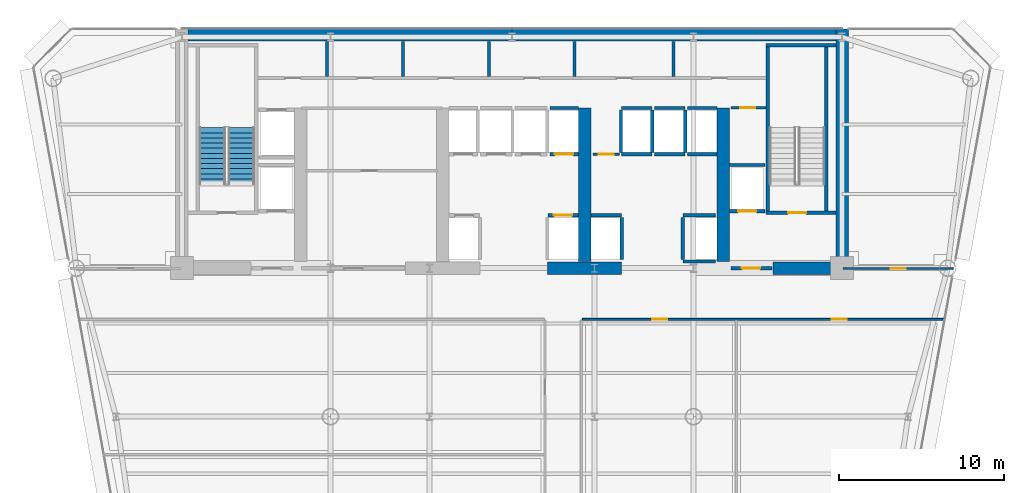
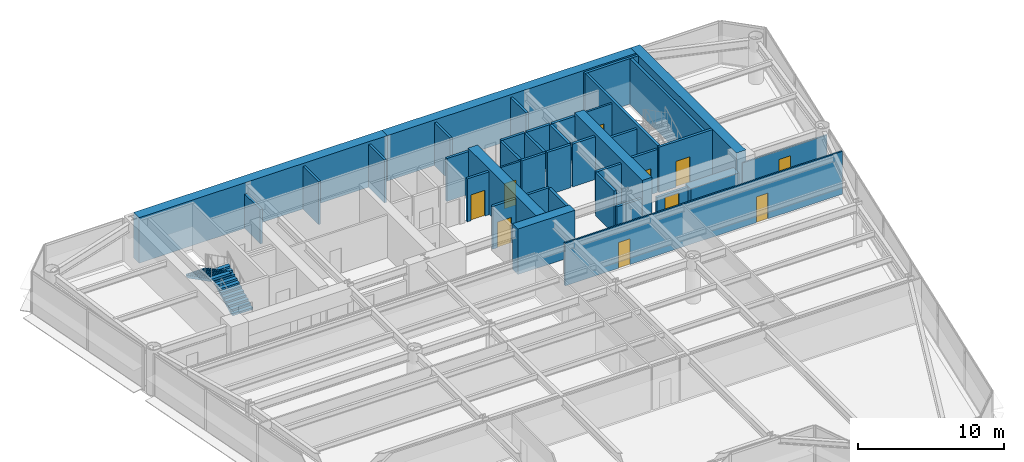
# One storey, part 9 of 14: 40 walls, 10 doors, 2 stair flights, 10 openings, 1 element without a shape of its own.
"""IFC4 building model written with IfcOpenShell, lengths in metres."""

from ifc_helpers import new_model, si_unit, direction, frame, frame_2d, origin, place, context, subcontext, project, spatial, polyline, rectangle, outline, extrude, source, transform, mapped, material, layer, layer_set, type_object, element, fill, aggregate, save


model = new_model("IFC4")

# Units and contexts
model_context = context("Model", 3, precision=1e-05, world=origin(), true_north=direction((0.0, 1.0)))
body_context = subcontext(model_context, "Body", "Model", "MODEL_VIEW")
ifc_project = project(units=[si_unit("LENGTHUNIT", "METRE"), si_unit("AREAUNIT", "SQUARE_METRE"), si_unit("VOLUMEUNIT", "CUBIC_METRE"), si_unit("PLANEANGLEUNIT", "RADIAN"), si_unit("MASSUNIT", "GRAM", prefix="KILO")], contexts=[model_context])

# Site, building, storey
site_placement = place(None, origin())
site = spatial("IfcSite", under=ifc_project, at=site_placement, CompositionType="ELEMENT")
building_placement = place(site_placement, origin())
building = spatial("IfcBuilding", under=site, at=building_placement, Name="Vaeldorn Concourse Tower", CompositionType="ELEMENT")
storey_placement = place(building_placement, frame((0.0, 0.0, 126.199951171875)))
storey = spatial("IfcBuildingStorey", under=building, at=storey_placement, Name="L32", CompositionType="ELEMENT", Elevation=126.199951171875)

# Walls
ifc_material_1 = material(Name="Concrete C60/75", Category="concrete")
ifc_layer_1 = layer(ifc_material_1, 0.75)
ifc_layer_set_1 = layer_set([ifc_layer_1], Name="Concrete C60/75")
wall_type_1 = type_object("IfcWallType", Name="WL-CORE-750", PredefinedType="SHEAR", material=ifc_layer_set_1)
for number, where, z_axis, x_axis, name in (
    (1, (14.37890625, 50.625, 0.0), (0.0, 0.0, 1.0), (1.0, 0.0, 0.0), "Rear Core Shear Wall L32 N1"),
    (2, (34.001953125, 50.625, 0.0), (0.0, 0.0, 1.0), (1.0, 0.0, 0.0), "Rear Core Shear Wall L32 N2"),
):
    element("IfcWall", number, at=place(storey_placement, frame(where, z_axis=z_axis, x_axis=x_axis)), inside=storey, type_object=wall_type_1, Name=name, PredefinedType="SHEAR", context=body_context, shape_type="SweptSolid", body=[
        extrude(rectangle(XDim=19.619140625, YDim=0.75, at=frame_2d((9.8095703125, 0.0))), origin(), (0.0, 0.0, 1.0), 3.800048828125),
    ])
wall_1_placement = place(storey_placement, frame((54.0, 36.5, 0.0), z_axis=(0.0, 0.0, 1.0), x_axis=(0.0, 1.0, 0.0)))
element("IfcWall", 3, at=wall_1_placement, inside=storey, type_object=wall_type_1, Name="Rear Core Shear Wall L32 E1", PredefinedType="SHEAR", context=body_context, shape_type="SweptSolid", body=[
    extrude(rectangle(XDim=14.5, YDim=0.75, at=frame_2d((7.25, 0.0))), origin(), (0.0, 0.0, 1.0), 3.800048828125),
])
wall_2_placement = place(storey_placement, frame((36.14990234375, 36.5, 0.0), z_axis=(0.0, 0.0, 1.0), x_axis=(1.0, 0.0, 0.0)))
element("IfcWall", 4, at=wall_2_placement, inside=storey, type_object=wall_type_1, Name="Rear Core Shear Wall L32 S3", PredefinedType="SHEAR", context=body_context, shape_type="SweptSolid", body=[
    extrude(rectangle(XDim=4.5, YDim=0.75, at=frame_2d((2.25, 0.0))), origin(), (0.0, 0.0, 1.0), 3.800048828125),
])
wall_3_placement = place(storey_placement, frame((49.800048828125, 36.5, 0.0), z_axis=(0.0, 0.0, 1.0), x_axis=(1.0, 0.0, 0.0)))
element("IfcWall", 5, at=wall_3_placement, inside=storey, type_object=wall_type_1, Name="Rear Core Shear Wall L32 S4", PredefinedType="SHEAR", context=body_context, shape_type="SweptSolid", body=[
    extrude(rectangle(XDim=3.804931640625, YDim=0.75, at=frame_2d((1.90234375, 0.0))), origin(), (0.0, 0.0, 1.0), 2.380126953125),
])
for number, where, z_axis, x_axis, name in (
    (6, (38.39990234375, 36.89501953125, 0.0), (0.0, 0.0, 1.0), (0.0, 1.0, 0.0), "Rear Core Shear Wall L32 M3"),
    (7, (46.800048828125, 36.89501953125, 0.0), (0.0, 0.0, 1.0), (0.0, 1.0, 0.0), "Rear Core Shear Wall L32 M4"),
):
    element("IfcWall", number, at=place(storey_placement, frame(where, z_axis=z_axis, x_axis=x_axis)), inside=storey, type_object=wall_type_1, Name=name, PredefinedType="SHEAR", context=body_context, shape_type="SweptSolid", body=[
        extrude(rectangle(XDim=9.304931640625, YDim=0.75, at=frame_2d((4.65234375, 0.0))), origin(), (0.0, 0.0, 1.0), 3.800048828125),
    ])

# Wall, openings, doors
ifc_material_2 = material(Name="Gypsum Board Partition", Category="gypsum")
ifc_layer_2 = layer(ifc_material_2, 0.1201171875)
ifc_layer_set_2 = layer_set([ifc_layer_2], Name="Gypsum Board Partition")
wall_type_2 = type_object("IfcWallType", Name="WL-PART-120", PredefinedType="PARTITIONING", material=ifc_layer_set_2)
wall_4_placement = place(storey_placement, frame((38.260009765625, 33.39990234375, 0.0), z_axis=(0.0, 0.0, 1.0), x_axis=(1.0, 0.0, 0.0)))
wall_4 = element("IfcWall", 8, at=wall_4_placement, inside=storey, type_object=wall_type_2, Name="Interior Wall PW-L32-C2SE", PredefinedType="PARTITIONING", context=body_context, shape_type="SweptSolid", body=[
    extrude(rectangle(XDim=21.918701171875, YDim=0.1201171875, at=frame_2d((10.95947265625, 0.0))), origin(), (0.0, 0.0, 1.0), 3.580078125),
])
opening_1_placement = place(wall_4_placement, frame((4.239990234375, 0.0, 0.0)))
opening_1 = element("IfcOpeningElement", 9, at=opening_1_placement, cuts=wall_4, Name="Opening D-03", PredefinedType="OPENING", context=body_context, shape_type="SweptSolid", body=[
    extrude(rectangle(XDim=0.89990234375, YDim=2.14990234375, at=frame_2d((0.449951171875, 1.074951171875))), frame((0.0, 0.070068359375, 0.0), z_axis=(0.0, -1.0, 0.0), x_axis=(1.0, 0.0, 0.0)), (0.0, 0.0, 1.0), 0.14013671875),
])
opening_2_placement = place(wall_4_placement, frame((15.12890625, 0.0, 0.0)))
opening_2 = element("IfcOpeningElement", 10, at=opening_2_placement, cuts=wall_4, Name="Opening D-03", PredefinedType="OPENING", context=body_context, shape_type="SweptSolid", body=[
    extrude(rectangle(XDim=0.89990234375, YDim=2.14990234375, at=frame_2d((0.449951171875, 1.074951171875))), frame((0.0, 0.070068359375, 0.0), z_axis=(0.0, -1.0, 0.0), x_axis=(1.0, 0.0, 0.0)), (0.0, 0.0, 1.0), 0.14013671875),
])
ifc_material_3 = material(Name="Acoustic Bronze-Framed Glass Door", Category="glass")
door_type_1 = type_object("IfcDoorType", Name="DR-INT-900", OperationType="NOTDEFINED", PredefinedType="DOOR", material=ifc_material_3)
shared_shape_1 = source(origin(), body_context, "Body", "SweptSolid", [
    extrude(rectangle(XDim=0.89990234375, YDim=2.14990234375, at=frame_2d((0.449951171875, 1.074951171875))), frame((0.0, 0.02490234375, 0.0), z_axis=(0.0, -1.0, 0.0), x_axis=(1.0, 0.0, 0.0)), (0.0, 0.0, 1.0), 0.050048828125),
])
door_1_placement = place(opening_1_placement, origin())
door_1 = element("IfcDoor", 11, at=door_1_placement, inside=storey, type_object=door_type_1, Name="Interior Door DR-L32-Z2E1", OperationType="SINGLE_SWING_RIGHT", OverallHeight=2.14990234375, OverallWidth=0.89990234375, PredefinedType="DOOR", context=body_context, shape_type="MappedRepresentation", body=[
    mapped(shared_shape_1, transform((0.0, 0.0, 0.0), scale=1.0)),
])
fill(opening_1, door_1)
door_2_placement = place(opening_2_placement, origin())
door_2 = element("IfcDoor", 12, at=door_2_placement, inside=storey, type_object=door_type_1, Name="Interior Door DR-L32-Z2E2", OperationType="SINGLE_SWING_LEFT", OverallHeight=2.14990234375, OverallWidth=0.89990234375, PredefinedType="DOOR", context=body_context, shape_type="MappedRepresentation", body=[
    mapped(shared_shape_1, transform((0.0, 0.0, 0.0), scale=1.0)),
])
fill(opening_2, door_2)

# Wall, opening, door
wall_5_placement = place(storey_placement, frame((54.06005859375, 36.47998046875, 0.0), z_axis=(0.0, 0.0, 1.0), x_axis=(1.0, 0.0, 0.0)))
wall_5 = element("IfcWall", 13, at=wall_5_placement, inside=storey, type_object=wall_type_2, Name="Interior Wall PW-L32-NES", PredefinedType="PARTITIONING", context=body_context, shape_type="SweptSolid", body=[
    extrude(rectangle(XDim=6.673095703125, YDim=0.1201171875, at=frame_2d((3.33642578125, 0.0))), origin(), (0.0, 0.0, 1.0), 2.8701171875),
])
opening_3_placement = place(wall_5_placement, frame((2.886962890625, 0.0, 0.0)))
opening_3 = element("IfcOpeningElement", 14, at=opening_3_placement, cuts=wall_5, Name="Opening D-03", PredefinedType="OPENING", context=body_context, shape_type="SweptSolid", body=[
    extrude(rectangle(XDim=0.89990234375, YDim=2.14990234375, at=frame_2d((0.449951171875, 1.074951171875))), frame((0.0, 0.070068359375, 0.0), z_axis=(0.0, -1.0, 0.0), x_axis=(1.0, 0.0, 0.0)), (0.0, 0.0, 1.0), 0.14013671875),
])
door_3_placement = place(opening_3_placement, origin())
door_3 = element("IfcDoor", 15, at=door_3_placement, inside=storey, type_object=door_type_1, Name="Interior Door DR-L32-NEC", OperationType="SINGLE_SWING_RIGHT", OverallHeight=2.14990234375, OverallWidth=0.89990234375, PredefinedType="DOOR", context=body_context, shape_type="MappedRepresentation", body=[
    mapped(shared_shape_1, transform((0.0, 0.0, 0.0), scale=1.0)),
])
fill(opening_3, door_3)

ifc_layer_3 = layer(ifc_material_2, 0.14990234375)
ifc_layer_set_3 = layer_set([ifc_layer_3], Name="Gypsum Board Partition")
wall_type_3 = type_object("IfcWallType", Name="WL-PART-150", PredefinedType="PARTITIONING", material=ifc_layer_set_3)
wall_6_placement = place(storey_placement, frame((47.280029296875, 46.219970703125, 0.0), z_axis=(0.0, 0.0, 1.0), x_axis=(1.0, 0.0, 0.0)))
wall_6 = element("IfcWall", 16, at=wall_6_placement, inside=storey, type_object=wall_type_3, Name="Interior Wall CW-L32-CRSE-N", PredefinedType="PARTITIONING", context=body_context, shape_type="SweptSolid", body=[
    extrude(rectangle(XDim=2.099853515625, YDim=0.14990234375, at=frame_2d((1.0498046875, 0.0))), origin(), (0.0, 0.0, 1.0), 3.580078125),
])
opening_4_placement = place(wall_6_placement, frame((0.550048828125, 0.0, 0.0)))
opening_4 = element("IfcOpeningElement", 17, at=opening_4_placement, cuts=wall_6, Name="Opening D-02", PredefinedType="OPENING", context=body_context, shape_type="SweptSolid", body=[
    extrude(rectangle(XDim=0.89990234375, YDim=2.10009765625, at=frame_2d((0.449951171875, 1.050048828125))), frame((0.0, 0.0849609375, 0.0), z_axis=(0.0, -1.0, 0.0), x_axis=(1.0, 0.0, 0.0)), (0.0, 0.0, 1.0), 0.169921875),
])
ifc_material_4 = material(Name="Fire-Rated Timber Leaf", Category="wood")
door_type_2 = type_object("IfcDoorType", Name="DR-FD30-900", OperationType="NOTDEFINED", PredefinedType="DOOR", material=ifc_material_4)
shared_shape_2 = source(origin(), body_context, "Body", "SweptSolid", [
    extrude(rectangle(XDim=0.89990234375, YDim=2.10009765625, at=frame_2d((0.449951171875, 1.050048828125))), frame((0.0, 0.02490234375, 0.0), z_axis=(0.0, -1.0, 0.0), x_axis=(1.0, 0.0, 0.0)), (0.0, 0.0, 1.0), 0.050048828125),
])
door_4_placement = place(opening_4_placement, origin())
door_4 = element("IfcDoor", 18, at=door_4_placement, inside=storey, type_object=door_type_2, Name="Interior Door DR-L32-CRSE", OperationType="SINGLE_SWING_RIGHT", OverallHeight=2.10009765625, OverallWidth=0.89990234375, PredefinedType="DOOR", context=body_context, shape_type="MappedRepresentation", body=[
    mapped(shared_shape_2, transform((0.0, 0.0, 0.0), scale=1.0)),
])
fill(opening_4, door_4)

wall_7_placement = place(storey_placement, frame((38.919921875, 43.39990234375, 0.0), z_axis=(0.0, 0.0, 1.0), x_axis=(1.0, 0.0, 0.0)))
wall_7 = element("IfcWall", 19, at=wall_7_placement, inside=storey, type_object=wall_type_3, Name="Interior Wall CW-L32-CCLINK", PredefinedType="PARTITIONING", context=body_context, shape_type="SweptSolid", body=[
    extrude(rectangle(XDim=1.60009765625, YDim=0.14990234375, at=frame_2d((0.800048828125, 0.0))), origin(), (0.0, 0.0, 1.0), 3.580078125),
])
opening_5_placement = place(wall_7_placement, frame((0.35009765625, 0.0, 0.0)))
opening_5 = element("IfcOpeningElement", 20, at=opening_5_placement, cuts=wall_7, Name="Opening D-02", PredefinedType="OPENING", context=body_context, shape_type="SweptSolid", body=[
    extrude(rectangle(XDim=0.89990234375, YDim=2.10009765625, at=frame_2d((0.449951171875, 1.050048828125))), frame((0.0, 0.0849609375, 0.0), z_axis=(0.0, -1.0, 0.0), x_axis=(1.0, 0.0, 0.0)), (0.0, 0.0, 1.0), 0.169921875),
])
door_5_placement = place(opening_5_placement, origin())
door_5 = element("IfcDoor", 21, at=door_5_placement, inside=storey, type_object=door_type_2, Name="Interior Door DR-L32-CCLINK", OperationType="SINGLE_SWING_LEFT", OverallHeight=2.10009765625, OverallWidth=0.89990234375, PredefinedType="DOOR", context=body_context, shape_type="MappedRepresentation", body=[
    mapped(shared_shape_2, transform((0.0, 0.0, 0.0), scale=1.0)),
])
fill(opening_5, door_5)

# Walls
ifc_layer_4 = layer(ifc_material_2, 0.179931640625)
ifc_layer_set_4 = layer_set([ifc_layer_4], Name="Gypsum Board Partition")
wall_type_4 = type_object("IfcWallType", Name="WL-PLUMB-180", PredefinedType="PLUMBINGWALL", material=ifc_layer_set_4)
wall_8_placement = place(storey_placement, frame((22.800048828125, 48.10009765625, 0.0), z_axis=(0.0, 0.0, 1.0), x_axis=(0.0, 1.0, 0.0)))
element("IfcWall", 22, at=wall_8_placement, inside=storey, type_object=wall_type_4, Name="Interior Wall CW-L32-NDIV1", PredefinedType="PLUMBINGWALL", context=body_context, shape_type="SweptSolid", body=[
    extrude(rectangle(XDim=2.1298828125, YDim=0.179931640625, at=frame_2d((1.06494140625, 0.0))), origin(), (0.0, 0.0, 1.0), 2.8701171875),
])
for number, where, z_axis, x_axis, name in (
    (23, (27.39990234375, 48.10009765625, 0.0), (0.0, 0.0, 1.0), (0.0, 1.0, 0.0), "Interior Wall CW-L32-NDIV2"),
    (24, (32.60009765625, 48.10009765625, 0.0), (0.0, 0.0, 1.0), (0.0, 1.0, 0.0), "Interior Wall CW-L32-NDIV3"),
    (25, (37.800048828125, 48.10009765625, 0.0), (0.0, 0.0, 1.0), (0.0, 1.0, 0.0), "Interior Wall CW-L32-NDIV4"),
    (26, (43.800048828125, 48.10009765625, 0.0), (0.0, 0.0, 1.0), (0.0, 1.0, 0.0), "Interior Wall CW-L32-NDIV5"),
):
    element("IfcWall", number, at=place(storey_placement, frame(where, z_axis=z_axis, x_axis=x_axis)), inside=storey, type_object=wall_type_4, Name=name, PredefinedType="PLUMBINGWALL", context=body_context, shape_type="SweptSolid", body=[
        extrude(rectangle(XDim=2.1298828125, YDim=0.179931640625, at=frame_2d((1.06494140625, 0.0))), origin(), (0.0, 0.0, 1.0), 3.580078125),
    ])

# Wall, opening, door
ifc_material_5 = material(Name="Concrete C50/60", Category="concrete")
ifc_layer_5 = layer(ifc_material_5, 0.199951171875)
ifc_layer_set_5 = layer_set([ifc_layer_5], Name="Concrete C50/60")
wall_type_5 = type_object("IfcWallType", Name="WL-SHAFT-200", PredefinedType="SOLIDWALL", material=ifc_layer_set_5)
wall_9_placement = place(storey_placement, frame((49.39990234375, 39.85009765625, 0.0), z_axis=(0.0, 0.0, 1.0), x_axis=(1.0, 0.0, 0.0)))
wall_9 = element("IfcWall", 27, at=wall_9_placement, inside=storey, type_object=wall_type_5, Name="Stair Shaft Wall CW-L32-ST-2-S", PredefinedType="SOLIDWALL", context=body_context, shape_type="SweptSolid", body=[
    extrude(rectangle(XDim=4.22509765625, YDim=0.199951171875, at=frame_2d((2.112548828125, 0.0))), origin(), (0.0, 0.0, 1.0), 3.800048828125),
])
opening_6_placement = place(wall_9_placement, frame((1.324951171875, 0.0, 0.0)))
opening_6 = element("IfcOpeningElement", 28, at=opening_6_placement, cuts=wall_9, Name="Opening D-01", PredefinedType="OPENING", context=body_context, shape_type="SweptSolid", body=[
    extrude(rectangle(XDim=1.10009765625, YDim=2.14990234375, at=frame_2d((0.550048828125, 1.074951171875))), frame((0.0, 0.10986328125, 0.0), z_axis=(0.0, -1.0, 0.0), x_axis=(1.0, 0.0, 0.0)), (0.0, 0.0, 1.0), 0.219970703125),
])
ifc_material_6 = material(Name="Fire-Rated Timber and Steel Leaf", Category="steel")
door_type_3 = type_object("IfcDoorType", Name="DR-FD60-1100", OperationType="NOTDEFINED", PredefinedType="DOOR", material=ifc_material_6)
shared_shape_3 = source(origin(), body_context, "Body", "SweptSolid", [
    extrude(rectangle(XDim=1.10009765625, YDim=2.14990234375, at=frame_2d((0.550048828125, 1.074951171875))), frame((0.0, 0.02490234375, 0.0), z_axis=(0.0, -1.0, 0.0), x_axis=(1.0, 0.0, 0.0)), (0.0, 0.0, 1.0), 0.050048828125),
])
door_6_placement = place(opening_6_placement, origin())
door_6 = element("IfcDoor", 29, at=door_6_placement, inside=storey, type_object=door_type_3, Name="Interior Door DR-L32-ST-2", OperationType="SINGLE_SWING_RIGHT", OverallHeight=2.14990234375, OverallWidth=1.10009765625, PredefinedType="DOOR", context=body_context, shape_type="MappedRepresentation", body=[
    mapped(shared_shape_3, transform((0.0, 0.0, 0.0), scale=1.0)),
])
fill(opening_6, door_6)

# Walls
wall_10_placement = place(storey_placement, frame((49.39990234375, 50.0, 0.0), z_axis=(0.0, 0.0, 1.0), x_axis=(1.0, 0.0, 0.0)))
element("IfcWall", 30, at=wall_10_placement, inside=storey, type_object=wall_type_5, Name="Stair Shaft Wall CW-L32-ST-2-N", PredefinedType="SOLIDWALL", context=body_context, shape_type="SweptSolid", body=[
    extrude(rectangle(XDim=4.22509765625, YDim=0.199951171875, at=frame_2d((2.112548828125, 0.0))), origin(), (0.0, 0.0, 1.0), 3.800048828125),
])
for number, where, z_axis, x_axis, name in (
    (31, (49.5, 39.9599609375, 0.0), (0.0, 0.0, 1.0), (0.0, 1.0, 0.0), "Stair Shaft Wall CW-L32-ST-2-W"),
    (32, (53.050048828125, 39.9599609375, 0.0), (0.0, 0.0, 1.0), (0.0, 1.0, 0.0), "Stair Shaft Wall CW-L32-ST-2-E"),
):
    element("IfcWall", number, at=place(storey_placement, frame(where, z_axis=z_axis, x_axis=x_axis)), inside=storey, type_object=wall_type_5, Name=name, PredefinedType="SOLIDWALL", context=body_context, shape_type="SweptSolid", body=[
        extrude(rectangle(XDim=9.929931640625, YDim=0.199951171875, at=frame_2d((4.96484375, 0.0))), origin(), (0.0, 0.0, 1.0), 3.800048828125),
    ])

# Wall, opening, door
wall_11_placement = place(storey_placement, frame((47.280029296875, 36.5, 0.0), z_axis=(0.0, 0.0, 1.0), x_axis=(1.0, 0.0, 0.0)))
wall_11 = element("IfcWall", 33, at=wall_11_placement, inside=storey, type_object=wall_type_5, Name="Interior Wall CW-L32-FF2S", PredefinedType="SOLIDWALL", context=body_context, shape_type="SweptSolid", body=[
    extrude(rectangle(XDim=2.469970703125, YDim=0.199951171875, at=frame_2d((1.23486328125, 0.0))), origin(), (0.0, 0.0, 1.0), 2.3701171875),
])
opening_7_placement = place(wall_11_placement, frame((0.64990234375, 0.0, 0.0)))
opening_7 = element("IfcOpeningElement", 34, at=opening_7_placement, cuts=wall_11, Name="Opening D-01", PredefinedType="OPENING", context=body_context, shape_type="SweptSolid", body=[
    extrude(rectangle(XDim=1.10009765625, YDim=2.14990234375, at=frame_2d((0.550048828125, 1.074951171875))), frame((0.0, 0.10986328125, 0.0), z_axis=(0.0, -1.0, 0.0), x_axis=(1.0, 0.0, 0.0)), (0.0, 0.0, 1.0), 0.219970703125),
])
door_7_placement = place(opening_7_placement, origin())
door_7 = element("IfcDoor", 35, at=door_7_placement, inside=storey, type_object=door_type_3, Name="Interior Door DR-L32-FF2W", OperationType="SINGLE_SWING_LEFT", OverallHeight=2.14990234375, OverallWidth=1.10009765625, PredefinedType="DOOR", context=body_context, shape_type="MappedRepresentation", body=[
    mapped(shared_shape_3, transform((0.0, 0.0, 0.0), scale=1.0)),
])
fill(opening_7, door_7)

wall_12_placement = place(storey_placement, frame((36.169921875, 39.699951171875, 0.0), z_axis=(0.0, 0.0, 1.0), x_axis=(1.0, 0.0, 0.0)))
wall_12 = element("IfcWall", 36, at=wall_12_placement, inside=storey, type_object=wall_type_5, Name="Interior Wall CW-L32-LF-LF-08", PredefinedType="SOLIDWALL", context=body_context, shape_type="SweptSolid", body=[
    extrude(rectangle(XDim=1.844970703125, YDim=0.199951171875, at=frame_2d((0.92236328125, 0.0))), origin(), (0.0, 0.0, 1.0), 3.580078125),
])
opening_8_placement = place(wall_12_placement, frame((0.3720703125, 0.0, 0.0)))
opening_8 = element("IfcOpeningElement", 37, at=opening_8_placement, cuts=wall_12, Name="Opening LD-1", PredefinedType="OPENING", context=body_context, shape_type="SweptSolid", body=[
    extrude(rectangle(XDim=1.10009765625, YDim=2.14990234375, at=frame_2d((0.550048828125, 1.074951171875))), frame((0.0, 0.10986328125, 0.0), z_axis=(0.0, -1.0, 0.0), x_axis=(1.0, 0.0, 0.0)), (0.0, 0.0, 1.0), 0.219970703125),
])
ifc_material_7 = material(Name="Anodised Bronze Aluminium", Category="aluminium")
door_type_4 = type_object("IfcDoorType", Name="DR-LIFT-SLIDE-1100", OperationType="DOUBLE_DOOR_SLIDING", PredefinedType="DOOR", material=ifc_material_7)
door_8_placement = place(opening_8_placement, origin())
door_8 = element("IfcDoor", 38, at=door_8_placement, inside=storey, type_object=door_type_4, Name="Lift Landing Door LD-L32-LF-08", OperationType="DOUBLE_DOOR_SLIDING", OverallHeight=2.14990234375, OverallWidth=1.10009765625, PredefinedType="DOOR", context=body_context, shape_type="MappedRepresentation", body=[
    mapped(shared_shape_3, transform((0.0, 0.0, 0.0), scale=1.0)),
])
fill(opening_8, door_8)

wall_13_placement = place(storey_placement, frame((36.2900390625, 43.39990234375, 0.0), z_axis=(0.0, 0.0, 1.0), x_axis=(1.0, 0.0, 0.0)))
wall_13 = element("IfcWall", 39, at=wall_13_placement, inside=storey, type_object=wall_type_5, Name="Interior Wall CW-L32-LF-LF-12", PredefinedType="SOLIDWALL", context=body_context, shape_type="SweptSolid", body=[
    extrude(rectangle(XDim=1.724853515625, YDim=0.199951171875, at=frame_2d((0.8623046875, 0.0))), origin(), (0.0, 0.0, 1.0), 3.580078125),
])
opening_9_placement = place(wall_13_placement, frame((0.31298828125, 0.0, 0.0)))
opening_9 = element("IfcOpeningElement", 40, at=opening_9_placement, cuts=wall_13, Name="Opening LD-1", PredefinedType="OPENING", context=body_context, shape_type="SweptSolid", body=[
    extrude(rectangle(XDim=1.10009765625, YDim=2.14990234375, at=frame_2d((0.550048828125, 1.074951171875))), frame((0.0, 0.10986328125, 0.0), z_axis=(0.0, -1.0, 0.0), x_axis=(1.0, 0.0, 0.0)), (0.0, 0.0, 1.0), 0.219970703125),
])
door_9_placement = place(opening_9_placement, origin())
door_9 = element("IfcDoor", 41, at=door_9_placement, inside=storey, type_object=door_type_4, Name="Lift Landing Door LD-L32-LF-12", OperationType="DOUBLE_DOOR_SLIDING", OverallHeight=2.14990234375, OverallWidth=1.10009765625, PredefinedType="DOOR", context=body_context, shape_type="MappedRepresentation", body=[
    mapped(shared_shape_3, transform((0.0, 0.0, 0.0), scale=1.0)),
])
fill(opening_9, door_9)

# Walls
wall_14_placement = place(storey_placement, frame((36.2900390625, 46.199951171875, 0.0), z_axis=(0.0, 0.0, 1.0), x_axis=(1.0, 0.0, 0.0)))
element("IfcWall", 42, at=wall_14_placement, inside=storey, type_object=wall_type_5, Name="Interior Wall CW-L32-LFB-LF-12", PredefinedType="SOLIDWALL", context=body_context, shape_type="SweptSolid", body=[
    extrude(rectangle(XDim=1.724853515625, YDim=0.199951171875, at=frame_2d((0.8623046875, 0.0))), origin(), (0.0, 0.0, 1.0), 3.580078125),
])
wall_15_placement = place(storey_placement, frame((38.784912109375, 39.699951171875, 0.0), z_axis=(0.0, 0.0, 1.0), x_axis=(1.0, 0.0, 0.0)))
element("IfcWall", 43, at=wall_15_placement, inside=storey, type_object=wall_type_5, Name="Interior Wall CW-L32-LF-LF-13", PredefinedType="SOLIDWALL", context=body_context, shape_type="SweptSolid", body=[
    extrude(rectangle(XDim=1.844970703125, YDim=0.199951171875, at=frame_2d((0.92236328125, 0.0))), origin(), (0.0, 0.0, 1.0), 3.580078125),
])
wall_16_placement = place(storey_placement, frame((40.64990234375, 37.02001953125, 0.0), z_axis=(0.0, 0.0, 1.0), x_axis=(0.0, 1.0, 0.0)))
element("IfcWall", 44, at=wall_16_placement, inside=storey, type_object=wall_type_5, Name="Interior Wall CW-L32-LFE-LF-13", PredefinedType="SOLIDWALL", context=body_context, shape_type="SweptSolid", body=[
    extrude(rectangle(XDim=2.56005859375, YDim=0.199951171875, at=frame_2d((1.280029296875, 0.0))), origin(), (0.0, 0.0, 1.0), 3.580078125),
])
wall_17_placement = place(storey_placement, frame((44.3701171875, 39.699951171875, 0.0), z_axis=(0.0, 0.0, 1.0), x_axis=(1.0, 0.0, 0.0)))
element("IfcWall", 45, at=wall_17_placement, inside=storey, type_object=wall_type_5, Name="Interior Wall CW-L32-LF-LF-14", PredefinedType="SOLIDWALL", context=body_context, shape_type="SweptSolid", body=[
    extrude(rectangle(XDim=1.9599609375, YDim=0.199951171875, at=frame_2d((0.97998046875, 0.0))), origin(), (0.0, 0.0, 1.0), 3.580078125),
])
wall_18_placement = place(storey_placement, frame((44.3701171875, 36.89990234375, 0.0), z_axis=(0.0, 0.0, 1.0), x_axis=(1.0, 0.0, 0.0)))
element("IfcWall", 46, at=wall_18_placement, inside=storey, type_object=wall_type_5, Name="Interior Wall CW-L32-LFB-LF-14", PredefinedType="SOLIDWALL", context=body_context, shape_type="SweptSolid", body=[
    extrude(rectangle(XDim=1.9599609375, YDim=0.199951171875, at=frame_2d((0.97998046875, 0.0))), origin(), (0.0, 0.0, 1.0), 2.3701171875),
])
wall_19_placement = place(storey_placement, frame((44.35009765625, 37.02001953125, 0.0), z_axis=(0.0, 0.0, 1.0), x_axis=(0.0, 1.0, 0.0)))
element("IfcWall", 47, at=wall_19_placement, inside=storey, type_object=wall_type_5, Name="Interior Wall CW-L32-LFW-LF-14", PredefinedType="SOLIDWALL", context=body_context, shape_type="SweptSolid", body=[
    extrude(rectangle(XDim=2.56005859375, YDim=0.199951171875, at=frame_2d((1.280029296875, 0.0))), origin(), (0.0, 0.0, 1.0), 3.580078125),
])
for number, where, z_axis, x_axis, name in (
    (48, (40.6201171875, 43.39990234375, 0.0), (0.0, 0.0, 1.0), (1.0, 0.0, 0.0), "Interior Wall CW-L32-LF-LF-15"),
    (49, (40.6201171875, 46.199951171875, 0.0), (0.0, 0.0, 1.0), (1.0, 0.0, 0.0), "Interior Wall CW-L32-LFB-LF-15"),
):
    element("IfcWall", number, at=place(storey_placement, frame(where, z_axis=z_axis, x_axis=x_axis)), inside=storey, type_object=wall_type_5, Name=name, PredefinedType="SOLIDWALL", context=body_context, shape_type="SweptSolid", body=[
        extrude(rectangle(XDim=1.85986328125, YDim=0.199951171875, at=frame_2d((0.929931640625, 0.0))), origin(), (0.0, 0.0, 1.0), 3.580078125),
    ])
for number, where, z_axis, x_axis, name in (
    (50, (40.60009765625, 43.52001953125, 0.0), (0.0, 0.0, 1.0), (0.0, 1.0, 0.0), "Interior Wall CW-L32-LFW-LF-15"),
    (51, (42.5, 43.52001953125, 0.0), (0.0, 0.0, 1.0), (0.0, 1.0, 0.0), "Interior Wall CW-L32-LFE-LF-15"),
):
    element("IfcWall", number, at=place(storey_placement, frame(where, z_axis=z_axis, x_axis=x_axis)), inside=storey, type_object=wall_type_5, Name=name, PredefinedType="SOLIDWALL", context=body_context, shape_type="SweptSolid", body=[
        extrude(rectangle(XDim=2.56005859375, YDim=0.199951171875, at=frame_2d((1.280029296875, 0.0))), origin(), (0.0, 0.0, 1.0), 3.580078125),
    ])
for number, where, z_axis, x_axis, name in (
    (52, (42.6201171875, 43.39990234375, 0.0), (0.0, 0.0, 1.0), (1.0, 0.0, 0.0), "Interior Wall CW-L32-LF-LF-16"),
    (53, (42.6201171875, 46.199951171875, 0.0), (0.0, 0.0, 1.0), (1.0, 0.0, 0.0), "Interior Wall CW-L32-LFB-LF-16"),
):
    element("IfcWall", number, at=place(storey_placement, frame(where, z_axis=z_axis, x_axis=x_axis)), inside=storey, type_object=wall_type_5, Name=name, PredefinedType="SOLIDWALL", context=body_context, shape_type="SweptSolid", body=[
        extrude(rectangle(XDim=1.85986328125, YDim=0.199951171875, at=frame_2d((0.929931640625, 0.0))), origin(), (0.0, 0.0, 1.0), 3.580078125),
    ])
wall_20_placement = place(storey_placement, frame((44.5, 43.52001953125, 0.0), z_axis=(0.0, 0.0, 1.0), x_axis=(0.0, 1.0, 0.0)))
element("IfcWall", 54, at=wall_20_placement, inside=storey, type_object=wall_type_5, Name="Interior Wall CW-L32-LFE-LF-16", PredefinedType="SOLIDWALL", context=body_context, shape_type="SweptSolid", body=[
    extrude(rectangle(XDim=2.56005859375, YDim=0.199951171875, at=frame_2d((1.280029296875, 0.0))), origin(), (0.0, 0.0, 1.0), 3.580078125),
])
for number, where, z_axis, x_axis, name in (
    (55, (44.6201171875, 43.39990234375, 0.0), (0.0, 0.0, 1.0), (1.0, 0.0, 0.0), "Interior Wall CW-L32-LF-LF-17"),
    (56, (44.6201171875, 46.199951171875, 0.0), (0.0, 0.0, 1.0), (1.0, 0.0, 0.0), "Interior Wall CW-L32-LFB-LF-17"),
):
    element("IfcWall", number, at=place(storey_placement, frame(where, z_axis=z_axis, x_axis=x_axis)), inside=storey, type_object=wall_type_5, Name=name, PredefinedType="SOLIDWALL", context=body_context, shape_type="SweptSolid", body=[
        extrude(rectangle(XDim=1.794921875, YDim=0.199951171875, at=frame_2d((0.8974609375, 0.0))), origin(), (0.0, 0.0, 1.0), 3.580078125),
    ])

# Wall, opening, door
wall_21_placement = place(storey_placement, frame((47.18505859375, 39.949951171875, 0.0), z_axis=(0.0, 0.0, 1.0), x_axis=(1.0, 0.0, 0.0)))
wall_21 = element("IfcWall", 57, at=wall_21_placement, inside=storey, type_object=wall_type_5, Name="Interior Wall CW-L32-LF-LF-FF2", PredefinedType="SOLIDWALL", context=body_context, shape_type="SweptSolid", body=[
    extrude(rectangle(XDim=2.14501953125, YDim=0.199951171875, at=frame_2d((1.072509765625, 0.0))), origin(), (0.0, 0.0, 1.0), 3.580078125),
])
opening_10_placement = place(wall_21_placement, frame((0.52197265625, 0.0, 0.0)))
opening_10 = element("IfcOpeningElement", 58, at=opening_10_placement, cuts=wall_21, Name="Opening LD-1", PredefinedType="OPENING", context=body_context, shape_type="SweptSolid", body=[
    extrude(rectangle(XDim=1.10009765625, YDim=2.14990234375, at=frame_2d((0.550048828125, 1.074951171875))), frame((0.0, 0.10986328125, 0.0), z_axis=(0.0, -1.0, 0.0), x_axis=(1.0, 0.0, 0.0)), (0.0, 0.0, 1.0), 0.219970703125),
])
door_10_placement = place(opening_10_placement, origin())
door_10 = element("IfcDoor", 59, at=door_10_placement, inside=storey, type_object=door_type_4, Name="Lift Landing Door LD-L32-LF-FF2", OperationType="DOUBLE_DOOR_SLIDING", OverallHeight=2.14990234375, OverallWidth=1.10009765625, PredefinedType="DOOR", context=body_context, shape_type="MappedRepresentation", body=[
    mapped(shared_shape_3, transform((0.0, 0.0, 0.0), scale=1.0)),
])
fill(opening_10, door_10)

# Wall
wall_22_placement = place(storey_placement, frame((47.18505859375, 42.75, 0.0), z_axis=(0.0, 0.0, 1.0), x_axis=(1.0, 0.0, 0.0)))
element("IfcWall", 60, at=wall_22_placement, inside=storey, type_object=wall_type_5, Name="Interior Wall CW-L32-LFB-LF-FF2", PredefinedType="SOLIDWALL", context=body_context, shape_type="SweptSolid", body=[
    extrude(rectangle(XDim=2.14501953125, YDim=0.199951171875, at=frame_2d((1.072509765625, 0.0))), origin(), (0.0, 0.0, 1.0), 3.580078125),
])

# Stair, stair flights
ifc_material_8 = material(Name="Precast concrete C40/50", Category="concrete")
stair_type = type_object("IfcStairType", Name="STR-DOG-24x158", PredefinedType="HALF_TURN_STAIR", material=ifc_material_8)
stair_placement = place(storey_placement, origin())
stair = element("IfcStair", 61, at=stair_placement, inside=storey, type_object=stair_type, Name="L32 West Core Exit Stair ST-1", PredefinedType="HALF_TURN_STAIR")
stair_flight_type = type_object("IfcStairFlightType", Name="STF-STR-12x158", PredefinedType="STRAIGHT", material=ifc_material_8)
stair_flight_1_placement = place(storey_placement, frame((17.60009765625, 41.60009765625, 0.0), z_axis=(0.0, 0.0, 1.0), x_axis=(0.0, 1.0, 0.0)))
stair_flight_1 = element("IfcStairFlight", 62, at=stair_flight_1_placement, type_object=stair_flight_type, Name="ST-1 flight 1", NumberOfRisers=12, NumberOfTreads=11, PredefinedType="STRAIGHT", RiserHeight=0.158333333, TreadLength=0.31, context=body_context, shape_type="SweptSolid", body=[
    extrude(outline(polyline([(0.0, 0.0), (0.0, 0.158447265625), (0.31005859375, 0.158447265625), (0.31005859375, 0.316650390625), (0.6201171875, 0.316650390625), (0.6201171875, 0.47509765625), (0.929931640625, 0.47509765625), (0.929931640625, 0.63330078125), (1.239990234375, 0.63330078125), (1.239990234375, 0.791748046875), (1.550048828125, 0.791748046875), (1.550048828125, 0.949951171875), (1.860107421875, 0.949951171875), (1.860107421875, 1.1083984375), (2.169921875, 1.1083984375), (2.169921875, 1.2666015625), (2.47998046875, 1.2666015625), (2.47998046875, 1.425048828125), (2.7900390625, 1.425048828125), (2.7900390625, 1.583251953125), (3.10009765625, 1.583251953125), (3.10009765625, 1.74169921875), (3.409912109375, 1.74169921875), (3.409912109375, 1.89990234375), (3.409912109375, 1.5732421875), (0.32958984375, 0.0), (0.0, 0.0)])), frame((0.0, 0.800048828125, 0.0), z_axis=(0.0, -1.0, 0.0), x_axis=(1.0, 0.0, 0.0)), (0.0, 0.0, 1.0), 1.60009765625),
])
stair_flight_2_placement = place(storey_placement, frame((15.85009765625, 45.010009765625, 1.900146484375), z_axis=(0.0, 0.0, 1.0), x_axis=(0.0, -1.0, 0.0)))
stair_flight_2 = element("IfcStairFlight", 63, at=stair_flight_2_placement, type_object=stair_flight_type, Name="ST-1 flight 2", NumberOfRisers=12, NumberOfTreads=11, PredefinedType="STRAIGHT", RiserHeight=0.158333333, TreadLength=0.31, context=body_context, shape_type="SweptSolid", body=[
    extrude(outline(polyline([(0.0, 0.0), (0.0, 0.158447265625), (0.31005859375, 0.158447265625), (0.31005859375, 0.316650390625), (0.6201171875, 0.316650390625), (0.6201171875, 0.47509765625), (0.929931640625, 0.47509765625), (0.929931640625, 0.63330078125), (1.239990234375, 0.63330078125), (1.239990234375, 0.791748046875), (1.550048828125, 0.791748046875), (1.550048828125, 0.949951171875), (1.860107421875, 0.949951171875), (1.860107421875, 1.1083984375), (2.169921875, 1.1083984375), (2.169921875, 1.2666015625), (2.47998046875, 1.2666015625), (2.47998046875, 1.425048828125), (2.7900390625, 1.425048828125), (2.7900390625, 1.583251953125), (3.10009765625, 1.583251953125), (3.10009765625, 1.74169921875), (3.409912109375, 1.74169921875), (3.409912109375, 1.89990234375), (3.409912109375, 1.5732421875), (0.32958984375, 0.0), (0.0, 0.0)])), frame((0.0, 0.800048828125, 0.0), z_axis=(0.0, -1.0, 0.0), x_axis=(1.0, 0.0, 0.0)), (0.0, 0.0, 1.0), 1.60009765625),
])
aggregate(stair, [stair_flight_1, stair_flight_2])

save(model, "model.ifc")
